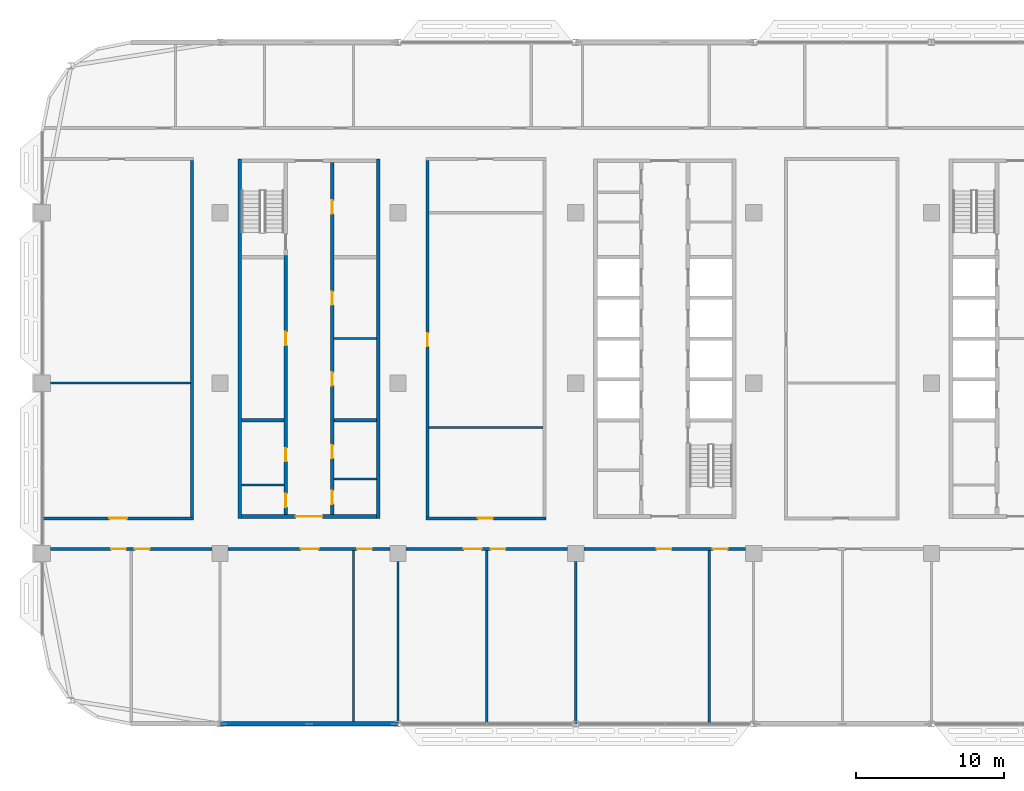
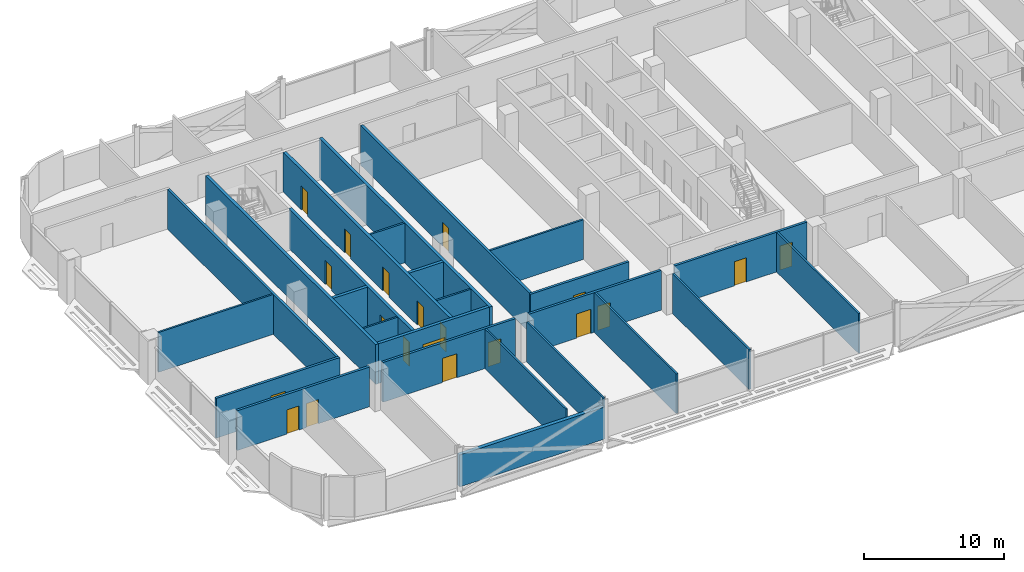
# One storey, part 13 of 30: 26 walls, 20 doors, 20 openings.
"""IFC4 building model written with IfcOpenShell, lengths in metres."""

import ifcopenshell
import ifcopenshell.guid

model = None  # the IFC model being written
_history = None  # IfcOwnerHistory: only IFC2X3 demands one
_inside = {}  # id of a spatial element -> (the spatial element, [elements in it])
_under = {}  # id of a project, library or spatial element -> (it, [spatial elements below it])
_declared = {}  # id of a project -> (the project, [libraries it declares])
_typed = {}  # id of a type object -> (the type object, [elements of that type])
_made_of = {}  # id of a material, layer set ... -> (it, [elements and type objects made of it])


def new_model(schema):
    """Start an empty IFC model of exactly this schema.

    Asked for "IFC4X3", IfcOpenShell would pick the latest addendum, in which some entities
    have other attributes; the version numbers below select the first issue.
    IFC2X3 requires an IfcOwnerHistory on every rooted entity: one is made here for all.
    """
    global model, _history
    if schema == "IFC4X3":
        model = ifcopenshell.file(schema_version=(4, 3, 0, 0))
    else:
        model = ifcopenshell.file(schema=schema)
    _inside.clear()
    _under.clear()
    _declared.clear()
    _typed.clear()
    _made_of.clear()
    _history = None
    if model.schema == "IFC2X3":
        org = make("IfcOrganization", Name="unknown")
        user = make(
            "IfcPersonAndOrganization",
            ThePerson=make("IfcPerson", FamilyName="unknown"),
            TheOrganization=org,
        )
        app = make(
            "IfcApplication",
            ApplicationDeveloper=org,
            Version="unknown",
            ApplicationFullName="unknown",
            ApplicationIdentifier="unknown",
        )
        _history = make(
            "IfcOwnerHistory",
            OwningUser=user,
            OwningApplication=app,
            ChangeAction="ADDED",
            CreationDate=0,
        )
    return model


def make(cls, **values):
    """One entity of the class cls with the attributes given. An attribute that is None is left unset."""
    return model.create_entity(
        cls, **{name: value for name, value in values.items() if value is not None}
    )


def rooted(cls, **values):
    """An entity with a GlobalId (a new one), such as an element, a storey or a relation."""
    return make(cls, GlobalId=ifcopenshell.guid.new(), OwnerHistory=_history, **values)


def si_unit(unit_type, name, prefix=None):
    """IfcSIUnit, for example si_unit("LENGTHUNIT", "METRE", prefix="MILLI")."""
    return make("IfcSIUnit", UnitType=unit_type, Prefix=prefix, Name=name)


def assignment(units):
    """IfcUnitAssignment: the units of a project."""
    return None if units is None else make("IfcUnitAssignment", Units=units)


def point(xyz):
    """IfcCartesianPoint."""
    return None if xyz is None else make("IfcCartesianPoint", Coordinates=xyz)


def direction(xyz):
    """IfcDirection."""
    return None if xyz is None else make("IfcDirection", DirectionRatios=xyz)


def frame(location, z_axis=None, x_axis=None):
    """IfcAxis2Placement3D, a coordinate frame: its origin and axes. An axis left out is left unset."""
    return make(
        "IfcAxis2Placement3D",
        Location=point(location),
        Axis=direction(z_axis),
        RefDirection=direction(x_axis),
    )


def frame_2d(location, x_axis=None):
    """IfcAxis2Placement2D, a coordinate frame in the plane: its origin and x axis."""
    return make(
        "IfcAxis2Placement2D", Location=point(location), RefDirection=direction(x_axis)
    )


def origin():
    """The frame at (0, 0, 0) with its axes left unset."""
    return frame((0.0, 0.0, 0.0))


def place(relative_to, where):
    """IfcLocalPlacement: puts the frame where relative to a parent placement (None: the world)."""
    return make(
        "IfcLocalPlacement", PlacementRelTo=relative_to, RelativePlacement=where
    )


def context(
    kind, dimensions, precision=None, world=None, true_north=None, identifier=None
):
    """IfcGeometricRepresentationContext, for example the 3D "Model" context."""
    return make(
        "IfcGeometricRepresentationContext",
        ContextIdentifier=identifier,
        ContextType=kind,
        CoordinateSpaceDimension=dimensions,
        Precision=precision,
        WorldCoordinateSystem=world,
        TrueNorth=true_north,
    )


def subcontext(parent, identifier, kind, view, scale=None):
    """IfcGeometricRepresentationSubContext, for example "Body" below "Model"."""
    return make(
        "IfcGeometricRepresentationSubContext",
        ContextIdentifier=identifier,
        ContextType=kind,
        ParentContext=parent,
        TargetScale=scale,
        TargetView=view,
    )


def project(units=None, contexts=None):
    """IfcProject with its units and contexts."""
    return rooted(
        "IfcProject",
        Name="project",
        RepresentationContexts=contexts,
        UnitsInContext=assignment(units),
    )


def spatial(cls, under=None, at=None, **own):
    """A site, building, storey or space (cls), placed at a placement, below another one or the project."""
    s = rooted(cls, ObjectPlacement=at, **own)
    if under is not None:
        _under.setdefault(under.id(), (under, []))[1].append(s)
    return s


def profile(cls, at=None, kind="AREA", **sizes):
    """A parametric profile (cls). Its sizes go by their IFC names, for example OverallWidth=200.0."""
    return make(cls, ProfileType=kind, Position=at, **sizes)


def rectangle(**sizes):
    """IfcRectangleProfileDef."""
    return profile("IfcRectangleProfileDef", **sizes)


def extrude(swept, where, along, depth):
    """IfcExtrudedAreaSolid: the profile swept, set in the frame where, extruded along a direction by depth."""
    return make(
        "IfcExtrudedAreaSolid",
        SweptArea=swept,
        Position=where,
        ExtrudedDirection=direction(along),
        Depth=depth,
    )


def shape(context_of_items, identifier, shape_type, items):
    """IfcShapeRepresentation: the items that make up one representation, for example the "Body"."""
    return make(
        "IfcShapeRepresentation",
        ContextOfItems=context_of_items,
        RepresentationIdentifier=identifier,
        RepresentationType=shape_type,
        Items=items,
    )


def material(Name=None, Category=None):
    """IfcMaterial."""
    return make("IfcMaterial", Name=Name, Category=Category)


def layer(
    of_material, thickness, ventilated=None, Name=None, Category=None, Priority=None
):
    """IfcMaterialLayer: one layer of a wall or slab, of a material (None: an air gap)."""
    return make(
        "IfcMaterialLayer",
        Material=of_material,
        LayerThickness=thickness,
        IsVentilated=ventilated,
        Name=Name,
        Category=Category,
        Priority=Priority,
    )


def layer_set(layers, Name=None):
    """IfcMaterialLayerSet."""
    return make("IfcMaterialLayerSet", MaterialLayers=layers, LayerSetName=Name)


def made_of(thing, what):
    """Note that an element or type object is made of a material, layer set ...; save() writes the relation."""
    if what is not None:
        _made_of.setdefault(what.id(), (what, []))[1].append(thing)
    return thing


def type_object(cls, material=None, **own):
    """A type object (cls), such as IfcWallType, which elements share."""
    return made_of(rooted(cls, **own), material)


def element(
    cls,
    number,
    at=None,
    inside=None,
    cuts=None,
    type_object=None,
    material=None,
    context=None,
    identifier="Body",
    shape_type=None,
    held_by="IfcProductDefinitionShape",
    body=None,
    shapes=None,
    **own,
):
    """One element of the class cls, such as IfcWall. Its Tag is "e" and its number.

    at: its placement. inside: the storey or other place that contains it. cuts: it is an
    opening in that element (IfcRelVoidsElement). A single representation is given by context,
    identifier, shape_type and body (its items); several are given by shapes. held_by: the class
    of the entity that holds the representations. save() writes the other relations.
    """
    e = rooted(cls, Tag="e%d" % number, ObjectPlacement=at, **own)
    if body is not None:
        shapes = [shape(context, identifier, shape_type, body)]
    if shapes is not None:
        e.Representation = make(held_by, Representations=shapes)
    if inside is not None:
        _inside.setdefault(inside.id(), (inside, []))[1].append(e)
    if cuts is not None:
        rooted(
            "IfcRelVoidsElement", RelatingBuildingElement=cuts, RelatedOpeningElement=e
        )
    if type_object is not None:
        _typed.setdefault(type_object.id(), (type_object, []))[1].append(e)
    return made_of(e, material)


def fill(opening, filler):
    """IfcRelFillsElement: the door or window that sits in an opening."""
    return rooted(
        "IfcRelFillsElement",
        RelatingOpeningElement=opening,
        RelatedBuildingElement=filler,
    )


def aggregate(whole, parts):
    """IfcRelAggregates: a whole, such as a stair, and the parts it consists of."""
    return rooted("IfcRelAggregates", RelatingObject=whole, RelatedObjects=parts)


def save(model, path):
    """Write the relations noted so far, then the file.

    IfcRelAggregates (storeys below a building ...), IfcRelContainedInSpatialStructure (elements
    in a storey), IfcRelDefinesByType, IfcRelAssociatesMaterial and IfcRelDeclares: one each for
    every whole, place, type object, material and project.
    """
    for whole, parts in _under.values():
        aggregate(whole, parts)
    for where, things in _inside.values():
        rooted(
            "IfcRelContainedInSpatialStructure",
            RelatedElements=things,
            RelatingStructure=where,
        )
    for kind, things in _typed.values():
        rooted("IfcRelDefinesByType", RelatedObjects=things, RelatingType=kind)
    for what, things in _made_of.values():
        rooted("IfcRelAssociatesMaterial", RelatedObjects=things, RelatingMaterial=what)
    for by, libraries in _declared.values():
        rooted("IfcRelDeclares", RelatingContext=by, RelatedDefinitions=libraries)
    model.write(path)


model = new_model("IFC4")

# Units and contexts
model_context = context("Model", 3, precision=1e-05, world=origin(), true_north=direction((0.0, 1.0)))
body_context = subcontext(model_context, "Body", "Model", "MODEL_VIEW")
ifc_project = project(units=[si_unit("LENGTHUNIT", "METRE"), si_unit("AREAUNIT", "SQUARE_METRE"), si_unit("VOLUMEUNIT", "CUBIC_METRE"), si_unit("PLANEANGLEUNIT", "RADIAN"), si_unit("MASSUNIT", "GRAM", prefix="KILO")], contexts=[model_context])

# Site, building, storey
site_placement = place(None, origin())
site = spatial("IfcSite", under=ifc_project, at=site_placement, CompositionType="ELEMENT")
building_placement = place(site_placement, origin())
building = spatial("IfcBuilding", under=site, at=building_placement, Name="Mahtab Terrace Research Tower", CompositionType="ELEMENT")
storey_placement = place(building_placement, frame((0.0, 0.0, 205.300048828125)))
storey = spatial("IfcBuildingStorey", under=building, at=storey_placement, Name="L49", CompositionType="ELEMENT", Elevation=205.300048828125)

# Walls
ifc_material_1 = material(Name="Gypsum board partition")
ifc_layer_1 = layer(ifc_material_1, 0.14990234375)
ifc_layer_set_1 = layer_set([ifc_layer_1], Name="Core partition 150")
wall_type_1 = type_object("IfcWallType", Name="Core partition 150", PredefinedType="PARTITIONING", material=ifc_layer_set_1)
for number, where, z_axis, x_axis, name in (
    (1, (-22.300048828125, 3.0, 0.0), (0.0, 0.0, 1.0), (1.0, 0.0, 0.0), "Core wall A pEL0"),
    (2, (-28.550048828125, -6.875, 0.0), (0.0, 0.0, 1.0), (1.0, 0.0, 0.0), "Core wall A pWS-988"),
    (3, (-22.300048828125, -6.47509765625, 0.0), (0.0, 0.0, 1.0), (1.0, 0.0, 0.0), "Core wall A pES-948"),
):
    element("IfcWall", number, at=place(storey_placement, frame(where, z_axis=z_axis, x_axis=x_axis)), inside=storey, type_object=wall_type_1, Name=name, PredefinedType="PARTITIONING", context=body_context, shape_type="SweptSolid", body=[
        extrude(rectangle(XDim=2.85009765625, YDim=0.14990234375, at=frame_2d((1.425048828125, 0.0))), origin(), (0.0, 0.0, 1.0), 3.4599609375),
    ])
ifc_material_2 = material(Name="Concrete C70/85", Category="concrete")
ifc_layer_2 = layer(ifc_material_2, 0.25)
ifc_layer_set_2 = layer_set([ifc_layer_2], Name="Core wall 250")
wall_type_2 = type_object("IfcWallType", Name="Core wall 250", PredefinedType="SOLIDWALL", material=ifc_layer_set_2)
for number, where, z_axis, x_axis, name in (
    (4, (-28.675048828125, 15.125, 0.0), (0.0, 0.0, 1.0), (0.0, -1.0, 0.0), "Core wall A outerW"),
    (5, (-19.324951171875, -9.125, 0.0), (0.0, 0.0, 1.0), (0.0, 1.0, 0.0), "Core wall A outerE"),
):
    element("IfcWall", number, at=place(storey_placement, frame(where, z_axis=z_axis, x_axis=x_axis)), inside=storey, type_object=wall_type_2, Name=name, PredefinedType="SOLIDWALL", context=body_context, shape_type="SweptSolid", body=[
        extrude(rectangle(XDim=24.25, YDim=0.25, at=frame_2d((12.125, 0.0))), origin(), (0.0, 0.0, 1.0), 3.4599609375),
    ])

# Wall, opening, door
wall_1_placement = place(storey_placement, frame((-19.449951171875, -9.0, 0.0), z_axis=(0.0, 0.0, 1.0), x_axis=(-1.0, 0.0, 0.0)))
wall_1 = element("IfcWall", 6, at=wall_1_placement, inside=storey, type_object=wall_type_2, Name="Core wall A endS", PredefinedType="SOLIDWALL", context=body_context, shape_type="SweptSolid", body=[
    extrude(rectangle(XDim=9.10009765625, YDim=0.25, at=frame_2d((4.550048828125, 0.0))), origin(), (0.0, 0.0, 1.0), 3.4599609375),
])
opening_1_placement = place(wall_1_placement, frame((3.64990234375, 0.0, 0.0)))
opening_1 = element("IfcOpeningElement", 7, at=opening_1_placement, cuts=wall_1, Name="Opening A-S1", PredefinedType="OPENING", context=body_context, shape_type="SweptSolid", body=[
    extrude(rectangle(XDim=1.800048828125, YDim=2.10009765625, at=frame_2d((0.89990234375, 1.050048828125))), frame((0.0, 0.135009765625, 0.0), z_axis=(0.0, -1.0, 0.0), x_axis=(1.0, 0.0, 0.0)), (0.0, 0.0, 1.0), 0.27001953125),
])
ifc_material_3 = material(Name="Steel fire door", Category="steel")
door_type_1 = type_object("IfcDoorType", Name="Lobby double door 1800x2100 1 HR", OperationType="DOUBLE_DOOR_SINGLE_SWING", PredefinedType="DOOR", material=ifc_material_3)
door_1_placement = place(opening_1_placement, origin())
door_1 = element("IfcDoor", 8, at=door_1_placement, inside=storey, type_object=door_type_1, Name="Core entrance door A S", OperationType="DOUBLE_DOOR_SINGLE_SWING", OverallHeight=2.10009765625, OverallWidth=1.800048828125, PredefinedType="DOOR", context=body_context, shape_type="SweptSolid", body=[
    extrude(rectangle(XDim=1.800048828125, YDim=2.10009765625, at=frame_2d((0.89990234375, 1.050048828125))), frame((0.0, 0.02490234375, 0.0), z_axis=(0.0, -1.0, 0.0), x_axis=(1.0, 0.0, 0.0)), (0.0, 0.0, 1.0), 0.050048828125),
])
fill(opening_1, door_1)

# Wall, openings, doors
wall_2_placement = place(storey_placement, frame((-25.574951171875, -8.875, 0.0), z_axis=(0.0, 0.0, 1.0), x_axis=(0.0, 1.0, 0.0)))
wall_2 = element("IfcWall", 9, at=wall_2_placement, inside=storey, type_object=wall_type_2, Name="Core wall A innerWSL", PredefinedType="SOLIDWALL", context=body_context, shape_type="SweptSolid", body=[
    extrude(rectangle(XDim=17.5, YDim=0.25, at=frame_2d((8.75, 0.0))), origin(), (0.0, 0.0, 1.0), 3.4599609375),
])
opening_2_placement = place(wall_2_placement, frame((11.425048828125, 0.0, 0.0)))
opening_2 = element("IfcOpeningElement", 10, at=opening_2_placement, cuts=wall_2, Name="Opening A-R1", PredefinedType="OPENING", context=body_context, shape_type="SweptSolid", body=[
    extrude(rectangle(XDim=0.89990234375, YDim=2.10009765625, at=frame_2d((0.449951171875, 1.050048828125))), frame((0.0, 0.135009765625, 0.0), z_axis=(0.0, -1.0, 0.0), x_axis=(1.0, 0.0, 0.0)), (0.0, 0.0, 1.0), 0.27001953125),
])
opening_3_placement = place(wall_2_placement, frame((0.512451171875, 0.0, 0.0)))
opening_3 = element("IfcOpeningElement", 11, at=opening_3_placement, cuts=wall_2, Name="Opening A-R4", PredefinedType="OPENING", context=body_context, shape_type="SweptSolid", body=[
    extrude(rectangle(XDim=0.89990234375, YDim=2.10009765625, at=frame_2d((0.449951171875, 1.050048828125))), frame((0.0, 0.135009765625, 0.0), z_axis=(0.0, -1.0, 0.0), x_axis=(1.0, 0.0, 0.0)), (0.0, 0.0, 1.0), 0.27001953125),
])
opening_4_placement = place(wall_2_placement, frame((3.58740234375, 0.0, 0.0)))
opening_4 = element("IfcOpeningElement", 12, at=opening_4_placement, cuts=wall_2, Name="Opening A-R5", PredefinedType="OPENING", context=body_context, shape_type="SweptSolid", body=[
    extrude(rectangle(XDim=0.89990234375, YDim=2.10009765625, at=frame_2d((0.449951171875, 1.050048828125))), frame((0.0, 0.135009765625, 0.0), z_axis=(0.0, -1.0, 0.0), x_axis=(1.0, 0.0, 0.0)), (0.0, 0.0, 1.0), 0.27001953125),
])
door_type_2 = type_object("IfcDoorType", Name="Room door 900x2100 1 HR", OperationType="NOTDEFINED", PredefinedType="DOOR", material=ifc_material_3)
door_2_placement = place(opening_2_placement, origin())
door_2 = element("IfcDoor", 13, at=door_2_placement, inside=storey, type_object=door_type_2, Name="Plant room door", OperationType="SINGLE_SWING_LEFT", OverallHeight=2.10009765625, OverallWidth=0.89990234375, PredefinedType="DOOR", context=body_context, shape_type="SweptSolid", body=[
    extrude(rectangle(XDim=0.89990234375, YDim=2.10009765625, at=frame_2d((0.449951171875, 1.050048828125))), frame((0.0, 0.02490234375, 0.0), z_axis=(0.0, -1.0, 0.0), x_axis=(1.0, 0.0, 0.0)), (0.0, 0.0, 1.0), 0.050048828125),
])
fill(opening_2, door_2)
door_3_placement = place(opening_3_placement, origin())
door_3 = element("IfcDoor", 14, at=door_3_placement, inside=storey, type_object=door_type_2, Name="Accessible WC door", OperationType="SINGLE_SWING_RIGHT", OverallHeight=2.10009765625, OverallWidth=0.89990234375, PredefinedType="DOOR", context=body_context, shape_type="SweptSolid", body=[
    extrude(rectangle(XDim=0.89990234375, YDim=2.10009765625, at=frame_2d((0.449951171875, 1.050048828125))), frame((0.0, 0.02490234375, 0.0), z_axis=(0.0, -1.0, 0.0), x_axis=(1.0, 0.0, 0.0)), (0.0, 0.0, 1.0), 0.050048828125),
])
fill(opening_3, door_3)
door_4_placement = place(opening_4_placement, origin())
door_4 = element("IfcDoor", 15, at=door_4_placement, inside=storey, type_object=door_type_2, Name="WC block door", OperationType="SINGLE_SWING_LEFT", OverallHeight=2.10009765625, OverallWidth=0.89990234375, PredefinedType="DOOR", context=body_context, shape_type="SweptSolid", body=[
    extrude(rectangle(XDim=0.89990234375, YDim=2.10009765625, at=frame_2d((0.449951171875, 1.050048828125))), frame((0.0, 0.02490234375, 0.0), z_axis=(0.0, -1.0, 0.0), x_axis=(1.0, 0.0, 0.0)), (0.0, 0.0, 1.0), 0.050048828125),
])
fill(opening_4, door_4)

wall_3_placement = place(storey_placement, frame((-22.425048828125, 14.875, 0.0), z_axis=(0.0, 0.0, 1.0), x_axis=(0.0, -1.0, 0.0)))
wall_3 = element("IfcWall", 16, at=wall_3_placement, inside=storey, type_object=wall_type_2, Name="Core wall A innerESLN", PredefinedType="SOLIDWALL", context=body_context, shape_type="SweptSolid", body=[
    extrude(rectangle(XDim=23.75, YDim=0.25, at=frame_2d((11.875, 0.0))), origin(), (0.0, 0.0, 1.0), 3.4599609375),
])
opening_5_placement = place(wall_3_placement, frame((14.14990234375, 0.0, 0.0)))
opening_5 = element("IfcOpeningElement", 17, at=opening_5_placement, cuts=wall_3, Name="Opening A-R2", PredefinedType="OPENING", context=body_context, shape_type="SweptSolid", body=[
    extrude(rectangle(XDim=0.89990234375, YDim=2.10009765625, at=frame_2d((0.449951171875, 1.050048828125))), frame((0.0, 0.135009765625, 0.0), z_axis=(0.0, -1.0, 0.0), x_axis=(1.0, 0.0, 0.0)), (0.0, 0.0, 1.0), 0.27001953125),
])
opening_6_placement = place(wall_3_placement, frame((8.699951171875, 0.0, 0.0)))
opening_6 = element("IfcOpeningElement", 18, at=opening_6_placement, cuts=wall_3, Name="Opening A-R3", PredefinedType="OPENING", context=body_context, shape_type="SweptSolid", body=[
    extrude(rectangle(XDim=0.89990234375, YDim=2.10009765625, at=frame_2d((0.449951171875, 1.050048828125))), frame((0.0, 0.135009765625, 0.0), z_axis=(0.0, -1.0, 0.0), x_axis=(1.0, 0.0, 0.0)), (0.0, 0.0, 1.0), 0.27001953125),
])
opening_7_placement = place(wall_3_placement, frame((22.137451171875, 0.0, 0.0)))
opening_7 = element("IfcOpeningElement", 19, at=opening_7_placement, cuts=wall_3, Name="Opening A-R6", PredefinedType="OPENING", context=body_context, shape_type="SweptSolid", body=[
    extrude(rectangle(XDim=0.89990234375, YDim=2.10009765625, at=frame_2d((0.449951171875, 1.050048828125))), frame((0.0, 0.135009765625, 0.0), z_axis=(0.0, -1.0, 0.0), x_axis=(1.0, 0.0, 0.0)), (0.0, 0.0, 1.0), 0.27001953125),
])
opening_8_placement = place(wall_3_placement, frame((19.0625, 0.0, 0.0)))
opening_8 = element("IfcOpeningElement", 20, at=opening_8_placement, cuts=wall_3, Name="Opening A-R7", PredefinedType="OPENING", context=body_context, shape_type="SweptSolid", body=[
    extrude(rectangle(XDim=0.89990234375, YDim=2.10009765625, at=frame_2d((0.449951171875, 1.050048828125))), frame((0.0, 0.135009765625, 0.0), z_axis=(0.0, -1.0, 0.0), x_axis=(1.0, 0.0, 0.0)), (0.0, 0.0, 1.0), 0.27001953125),
])
opening_9_placement = place(wall_3_placement, frame((2.550048828125, 0.0, 0.0)))
opening_9 = element("IfcOpeningElement", 21, at=opening_9_placement, cuts=wall_3, Name="Opening A-R8", PredefinedType="OPENING", context=body_context, shape_type="SweptSolid", body=[
    extrude(rectangle(XDim=0.89990234375, YDim=2.10009765625, at=frame_2d((0.449951171875, 1.050048828125))), frame((0.0, 0.135009765625, 0.0), z_axis=(0.0, -1.0, 0.0), x_axis=(1.0, 0.0, 0.0)), (0.0, 0.0, 1.0), 0.27001953125),
])
door_5_placement = place(opening_5_placement, origin())
door_5 = element("IfcDoor", 22, at=door_5_placement, inside=storey, type_object=door_type_2, Name="Document store door", OperationType="SINGLE_SWING_RIGHT", OverallHeight=2.10009765625, OverallWidth=0.89990234375, PredefinedType="DOOR", context=body_context, shape_type="SweptSolid", body=[
    extrude(rectangle(XDim=0.89990234375, YDim=2.10009765625, at=frame_2d((0.449951171875, 1.050048828125))), frame((0.0, 0.02490234375, 0.0), z_axis=(0.0, -1.0, 0.0), x_axis=(1.0, 0.0, 0.0)), (0.0, 0.0, 1.0), 0.050048828125),
])
fill(opening_5, door_5)
door_6_placement = place(opening_6_placement, origin())
door_6 = element("IfcDoor", 23, at=door_6_placement, inside=storey, type_object=door_type_2, Name="IT equipment room door", OperationType="SINGLE_SWING_LEFT", OverallHeight=2.10009765625, OverallWidth=0.89990234375, PredefinedType="DOOR", context=body_context, shape_type="SweptSolid", body=[
    extrude(rectangle(XDim=0.89990234375, YDim=2.10009765625, at=frame_2d((0.449951171875, 1.050048828125))), frame((0.0, 0.02490234375, 0.0), z_axis=(0.0, -1.0, 0.0), x_axis=(1.0, 0.0, 0.0)), (0.0, 0.0, 1.0), 0.050048828125),
])
fill(opening_6, door_6)
door_7_placement = place(opening_7_placement, origin())
door_7 = element("IfcDoor", 24, at=door_7_placement, inside=storey, type_object=door_type_2, Name="Mechanical riser room door", OperationType="SINGLE_SWING_RIGHT", OverallHeight=2.10009765625, OverallWidth=0.89990234375, PredefinedType="DOOR", context=body_context, shape_type="SweptSolid", body=[
    extrude(rectangle(XDim=0.89990234375, YDim=2.10009765625, at=frame_2d((0.449951171875, 1.050048828125))), frame((0.0, 0.02490234375, 0.0), z_axis=(0.0, -1.0, 0.0), x_axis=(1.0, 0.0, 0.0)), (0.0, 0.0, 1.0), 0.050048828125),
])
fill(opening_7, door_7)
door_8_placement = place(opening_8_placement, origin())
door_8 = element("IfcDoor", 25, at=door_8_placement, inside=storey, type_object=door_type_2, Name="Chemical store door", OperationType="SINGLE_SWING_LEFT", OverallHeight=2.10009765625, OverallWidth=0.89990234375, PredefinedType="DOOR", context=body_context, shape_type="SweptSolid", body=[
    extrude(rectangle(XDim=0.89990234375, YDim=2.10009765625, at=frame_2d((0.449951171875, 1.050048828125))), frame((0.0, 0.02490234375, 0.0), z_axis=(0.0, -1.0, 0.0), x_axis=(1.0, 0.0, 0.0)), (0.0, 0.0, 1.0), 0.050048828125),
])
fill(opening_8, door_8)
door_9_placement = place(opening_9_placement, origin())
door_9 = element("IfcDoor", 26, at=door_9_placement, inside=storey, type_object=door_type_2, Name="Gas cylinder store door", OperationType="SINGLE_SWING_RIGHT", OverallHeight=2.10009765625, OverallWidth=0.89990234375, PredefinedType="DOOR", context=body_context, shape_type="SweptSolid", body=[
    extrude(rectangle(XDim=0.89990234375, YDim=2.10009765625, at=frame_2d((0.449951171875, 1.050048828125))), frame((0.0, 0.02490234375, 0.0), z_axis=(0.0, -1.0, 0.0), x_axis=(1.0, 0.0, 0.0)), (0.0, 0.0, 1.0), 0.050048828125),
])
fill(opening_9, door_9)

# Walls
for number, where, z_axis, x_axis, name in (
    (27, (-28.550048828125, -2.5, 0.0), (0.0, 0.0, 1.0), (1.0, 0.0, 0.0), "Core wall A divW0"),
    (28, (-22.300048828125, -2.5, 0.0), (0.0, 0.0, 1.0), (1.0, 0.0, 0.0), "Core wall A divE0"),
):
    element("IfcWall", number, at=place(storey_placement, frame(where, z_axis=z_axis, x_axis=x_axis)), inside=storey, type_object=wall_type_2, Name=name, PredefinedType="SOLIDWALL", context=body_context, shape_type="SweptSolid", body=[
        extrude(rectangle(XDim=2.85009765625, YDim=0.25, at=frame_2d((1.425048828125, 0.0))), origin(), (0.0, 0.0, 1.0), 3.4599609375),
    ])
ifc_material_4 = material(Name="Black aluminium cladding panel", Category="aluminium")
ifc_layer_3 = layer(ifc_material_4, 0.300048828125)
ifc_layer_set_3 = layer_set([ifc_layer_3], Name="Opaque facade wall 300")
wall_type_3 = type_object("IfcWallType", Name="Opaque facade wall 300", PredefinedType="NOTDEFINED", material=ifc_layer_set_3)
wall_4_placement = place(storey_placement, frame((-29.987548828125, -23.0, 0.0), z_axis=(0.0, 0.0, 1.0), x_axis=(1.0, 0.0, 0.0)))
element("IfcWall", 29, at=wall_4_placement, inside=storey, type_object=wall_type_3, Name="Opaque facade wall L49 S24", PredefinedType="NOTDEFINED", context=body_context, shape_type="SweptSolid", body=[
    extrude(rectangle(XDim=11.97509765625, YDim=0.300048828125, at=frame_2d((5.987548828125, 0.0))), origin(), (0.0, 0.0, 1.0), 2.78173828125),
])

# Wall, openings, doors
ifc_material_5 = material(Name="Gypsum board corridor wall on steel studs", Category="steel")
ifc_layer_4 = layer(ifc_material_5, 0.199951171875)
ifc_layer_set_4 = layer_set([ifc_layer_4], Name="WALL CORRIDOR 200")
wall_type_4 = type_object("IfcWallType", Name="WALL CORRIDOR 200", PredefinedType="PARTITIONING", material=ifc_layer_set_4)
wall_5_placement = place(storey_placement, frame((-41.449951171875, -11.199951171875, 0.0), z_axis=(0.0, 0.0, 1.0), x_axis=(1.0, 0.0, 0.0)))
wall_5 = element("IfcWall", 30, at=wall_5_placement, inside=storey, type_object=wall_type_4, Name="L49-W001", PredefinedType="PARTITIONING", context=body_context, shape_type="SweptSolid", body=[
    extrude(rectangle(XDim=10.89990234375, YDim=0.199951171875, at=frame_2d((5.449951171875, 0.0))), origin(), (0.0, 0.0, 1.0), 3.4599609375),
])
opening_10_placement = place(wall_5_placement, frame((4.10009765625, 0.0, 0.0)))
opening_10 = element("IfcOpeningElement", 31, at=opening_10_placement, cuts=wall_5, Name="Opening L49-101", PredefinedType="OPENING", context=body_context, shape_type="SweptSolid", body=[
    extrude(rectangle(XDim=1.0, YDim=2.10009765625, at=frame_2d((0.5, 1.050048828125))), frame((0.0, 0.10986328125, 0.0), z_axis=(0.0, -1.0, 0.0), x_axis=(1.0, 0.0, 0.0)), (0.0, 0.0, 1.0), 0.219970703125),
])
opening_11_placement = place(wall_5_placement, frame((5.699951171875, 0.0, 0.0)))
opening_11 = element("IfcOpeningElement", 32, at=opening_11_placement, cuts=wall_5, Name="Opening L49-102", PredefinedType="OPENING", context=body_context, shape_type="SweptSolid", body=[
    extrude(rectangle(XDim=1.0, YDim=2.10009765625, at=frame_2d((0.5, 1.050048828125))), frame((0.0, 0.10986328125, 0.0), z_axis=(0.0, -1.0, 0.0), x_axis=(1.0, 0.0, 0.0)), (0.0, 0.0, 1.0), 0.219970703125),
])
ifc_material_6 = material(Name="Timber door leaf in steel frame", Category="steel")
door_type_3 = type_object("IfcDoorType", Name="DOOR 1000X2100 FD30S", OperationType="SINGLE_SWING_LEFT", PredefinedType="DOOR", material=ifc_material_6)
door_10_placement = place(opening_10_placement, origin())
door_10 = element("IfcDoor", 33, at=door_10_placement, inside=storey, type_object=door_type_3, Name="Door L49-101", OperationType="SINGLE_SWING_RIGHT", OverallHeight=2.10009765625, OverallWidth=1.0, PredefinedType="DOOR", context=body_context, shape_type="SweptSolid", body=[
    extrude(rectangle(XDim=1.0, YDim=2.10009765625, at=frame_2d((0.5, 1.050048828125))), frame((0.0, 0.02490234375, 0.0), z_axis=(0.0, -1.0, 0.0), x_axis=(1.0, 0.0, 0.0)), (0.0, 0.0, 1.0), 0.050048828125),
])
fill(opening_10, door_10)
door_11_placement = place(opening_11_placement, origin())
door_11 = element("IfcDoor", 34, at=door_11_placement, inside=storey, type_object=door_type_3, Name="Door L49-102", OperationType="SINGLE_SWING_LEFT", OverallHeight=2.10009765625, OverallWidth=1.0, PredefinedType="DOOR", context=body_context, shape_type="SweptSolid", body=[
    extrude(rectangle(XDim=1.0, YDim=2.10009765625, at=frame_2d((0.5, 1.050048828125))), frame((0.0, 0.02490234375, 0.0), z_axis=(0.0, -1.0, 0.0), x_axis=(1.0, 0.0, 0.0)), (0.0, 0.0, 1.0), 0.050048828125),
])
fill(opening_11, door_11)

wall_6_placement = place(storey_placement, frame((-29.449951171875, -11.199951171875, 0.0), z_axis=(0.0, 0.0, 1.0), x_axis=(1.0, 0.0, 0.0)))
wall_6 = element("IfcWall", 35, at=wall_6_placement, inside=storey, type_object=wall_type_4, Name="L49-W002", PredefinedType="PARTITIONING", context=body_context, shape_type="SweptSolid", body=[
    extrude(rectangle(XDim=10.89990234375, YDim=0.199951171875, at=frame_2d((5.449951171875, 0.0))), origin(), (0.0, 0.0, 1.0), 3.4599609375),
])
opening_12_placement = place(wall_6_placement, frame((4.89990234375, 0.0, 0.0)))
opening_12 = element("IfcOpeningElement", 36, at=opening_12_placement, cuts=wall_6, Name="Opening L49-103", PredefinedType="OPENING", context=body_context, shape_type="SweptSolid", body=[
    extrude(rectangle(XDim=1.199951171875, YDim=2.10009765625, at=frame_2d((0.60009765625, 1.050048828125))), frame((0.0, 0.10986328125, 0.0), z_axis=(0.0, -1.0, 0.0), x_axis=(1.0, 0.0, 0.0)), (0.0, 0.0, 1.0), 0.219970703125),
])
opening_13_placement = place(wall_6_placement, frame((8.699951171875, 0.0, 0.0)))
opening_13 = element("IfcOpeningElement", 37, at=opening_13_placement, cuts=wall_6, Name="Opening L49-104", PredefinedType="OPENING", context=body_context, shape_type="SweptSolid", body=[
    extrude(rectangle(XDim=1.0, YDim=2.10009765625, at=frame_2d((0.5, 1.050048828125))), frame((0.0, 0.10986328125, 0.0), z_axis=(0.0, -1.0, 0.0), x_axis=(1.0, 0.0, 0.0)), (0.0, 0.0, 1.0), 0.219970703125),
])
door_12_placement = place(opening_13_placement, origin())
door_12 = element("IfcDoor", 38, at=door_12_placement, inside=storey, type_object=door_type_3, Name="Door L49-104", OperationType="SINGLE_SWING_LEFT", OverallHeight=2.10009765625, OverallWidth=1.0, PredefinedType="DOOR", context=body_context, shape_type="SweptSolid", body=[
    extrude(rectangle(XDim=1.0, YDim=2.10009765625, at=frame_2d((0.5, 1.050048828125))), frame((0.0, 0.02490234375, 0.0), z_axis=(0.0, -1.0, 0.0), x_axis=(1.0, 0.0, 0.0)), (0.0, 0.0, 1.0), 0.050048828125),
])
fill(opening_13, door_12)
door_type_4 = type_object("IfcDoorType", Name="DOOR 1200X2100 FD30S", OperationType="SINGLE_SWING_LEFT", PredefinedType="DOOR", material=ifc_material_6)
door_13_placement = place(opening_12_placement, origin())
door_13 = element("IfcDoor", 39, at=door_13_placement, inside=storey, type_object=door_type_4, Name="Door L49-103", OperationType="SINGLE_SWING_LEFT", OverallHeight=2.10009765625, OverallWidth=1.199951171875, PredefinedType="DOOR", context=body_context, shape_type="SweptSolid", body=[
    extrude(rectangle(XDim=1.199951171875, YDim=2.10009765625, at=frame_2d((0.60009765625, 1.050048828125))), frame((0.0, 0.02490234375, 0.0), z_axis=(0.0, -1.0, 0.0), x_axis=(1.0, 0.0, 0.0)), (0.0, 0.0, 1.0), 0.050048828125),
])
fill(opening_12, door_13)

wall_7_placement = place(storey_placement, frame((-17.449951171875, -11.199951171875, 0.0), z_axis=(0.0, 0.0, 1.0), x_axis=(1.0, 0.0, 0.0)))
wall_7 = element("IfcWall", 40, at=wall_7_placement, inside=storey, type_object=wall_type_4, Name="L49-W003", PredefinedType="PARTITIONING", context=body_context, shape_type="SweptSolid", body=[
    extrude(rectangle(XDim=10.89990234375, YDim=0.199951171875, at=frame_2d((5.449951171875, 0.0))), origin(), (0.0, 0.0, 1.0), 3.4599609375),
])
opening_14_placement = place(wall_7_placement, frame((3.89990234375, 0.0, 0.0)))
opening_14 = element("IfcOpeningElement", 41, at=opening_14_placement, cuts=wall_7, Name="Opening L49-105", PredefinedType="OPENING", context=body_context, shape_type="SweptSolid", body=[
    extrude(rectangle(XDim=1.199951171875, YDim=2.10009765625, at=frame_2d((0.60009765625, 1.050048828125))), frame((0.0, 0.10986328125, 0.0), z_axis=(0.0, -1.0, 0.0), x_axis=(1.0, 0.0, 0.0)), (0.0, 0.0, 1.0), 0.219970703125),
])
opening_15_placement = place(wall_7_placement, frame((5.699951171875, 0.0, 0.0)))
opening_15 = element("IfcOpeningElement", 42, at=opening_15_placement, cuts=wall_7, Name="Opening L49-106", PredefinedType="OPENING", context=body_context, shape_type="SweptSolid", body=[
    extrude(rectangle(XDim=1.0, YDim=2.10009765625, at=frame_2d((0.5, 1.050048828125))), frame((0.0, 0.10986328125, 0.0), z_axis=(0.0, -1.0, 0.0), x_axis=(1.0, 0.0, 0.0)), (0.0, 0.0, 1.0), 0.219970703125),
])
door_14_placement = place(opening_15_placement, origin())
door_14 = element("IfcDoor", 43, at=door_14_placement, inside=storey, type_object=door_type_3, Name="Door L49-106", OperationType="SINGLE_SWING_LEFT", OverallHeight=2.10009765625, OverallWidth=1.0, PredefinedType="DOOR", context=body_context, shape_type="SweptSolid", body=[
    extrude(rectangle(XDim=1.0, YDim=2.10009765625, at=frame_2d((0.5, 1.050048828125))), frame((0.0, 0.02490234375, 0.0), z_axis=(0.0, -1.0, 0.0), x_axis=(1.0, 0.0, 0.0)), (0.0, 0.0, 1.0), 0.050048828125),
])
fill(opening_15, door_14)
door_15_placement = place(opening_14_placement, origin())
door_15 = element("IfcDoor", 44, at=door_15_placement, inside=storey, type_object=door_type_4, Name="Door L49-105", OperationType="SINGLE_SWING_RIGHT", OverallHeight=2.10009765625, OverallWidth=1.199951171875, PredefinedType="DOOR", context=body_context, shape_type="SweptSolid", body=[
    extrude(rectangle(XDim=1.199951171875, YDim=2.10009765625, at=frame_2d((0.60009765625, 1.050048828125))), frame((0.0, 0.02490234375, 0.0), z_axis=(0.0, -1.0, 0.0), x_axis=(1.0, 0.0, 0.0)), (0.0, 0.0, 1.0), 0.050048828125),
])
fill(opening_14, door_15)

wall_8_placement = place(storey_placement, frame((-5.449951171875, -11.199951171875, 0.0), z_axis=(0.0, 0.0, 1.0), x_axis=(1.0, 0.0, 0.0)))
wall_8 = element("IfcWall", 45, at=wall_8_placement, inside=storey, type_object=wall_type_4, Name="L49-W004", PredefinedType="PARTITIONING", context=body_context, shape_type="SweptSolid", body=[
    extrude(rectangle(XDim=10.89990234375, YDim=0.199951171875, at=frame_2d((5.449951171875, 0.0))), origin(), (0.0, 0.0, 1.0), 3.4599609375),
])
opening_16_placement = place(wall_8_placement, frame((4.89990234375, 0.0, 0.0)))
opening_16 = element("IfcOpeningElement", 46, at=opening_16_placement, cuts=wall_8, Name="Opening L49-107", PredefinedType="OPENING", context=body_context, shape_type="SweptSolid", body=[
    extrude(rectangle(XDim=1.0, YDim=2.10009765625, at=frame_2d((0.5, 1.050048828125))), frame((0.0, 0.10986328125, 0.0), z_axis=(0.0, -1.0, 0.0), x_axis=(1.0, 0.0, 0.0)), (0.0, 0.0, 1.0), 0.219970703125),
])
opening_17_placement = place(wall_8_placement, frame((8.699951171875, 0.0, 0.0)))
opening_17 = element("IfcOpeningElement", 47, at=opening_17_placement, cuts=wall_8, Name="Opening L49-108", PredefinedType="OPENING", context=body_context, shape_type="SweptSolid", body=[
    extrude(rectangle(XDim=1.0, YDim=2.10009765625, at=frame_2d((0.5, 1.050048828125))), frame((0.0, 0.10986328125, 0.0), z_axis=(0.0, -1.0, 0.0), x_axis=(1.0, 0.0, 0.0)), (0.0, 0.0, 1.0), 0.219970703125),
])
door_16_placement = place(opening_16_placement, origin())
door_16 = element("IfcDoor", 48, at=door_16_placement, inside=storey, type_object=door_type_3, Name="Door L49-107", OperationType="SINGLE_SWING_RIGHT", OverallHeight=2.10009765625, OverallWidth=1.0, PredefinedType="DOOR", context=body_context, shape_type="SweptSolid", body=[
    extrude(rectangle(XDim=1.0, YDim=2.10009765625, at=frame_2d((0.5, 1.050048828125))), frame((0.0, 0.02490234375, 0.0), z_axis=(0.0, -1.0, 0.0), x_axis=(1.0, 0.0, 0.0)), (0.0, 0.0, 1.0), 0.050048828125),
])
fill(opening_16, door_16)
door_17_placement = place(opening_17_placement, origin())
door_17 = element("IfcDoor", 49, at=door_17_placement, inside=storey, type_object=door_type_3, Name="Door L49-108", OperationType="SINGLE_SWING_LEFT", OverallHeight=2.10009765625, OverallWidth=1.0, PredefinedType="DOOR", context=body_context, shape_type="SweptSolid", body=[
    extrude(rectangle(XDim=1.0, YDim=2.10009765625, at=frame_2d((0.5, 1.050048828125))), frame((0.0, 0.02490234375, 0.0), z_axis=(0.0, -1.0, 0.0), x_axis=(1.0, 0.0, 0.0)), (0.0, 0.0, 1.0), 0.050048828125),
])
fill(opening_17, door_17)

# Wall, opening, door
wall_9_placement = place(storey_placement, frame((-41.97509765625, -9.125, 0.0), z_axis=(0.0, 0.0, 1.0), x_axis=(1.0, 0.0, 0.0)))
wall_9 = element("IfcWall", 50, at=wall_9_placement, inside=storey, type_object=wall_type_4, Name="L49-W009", PredefinedType="PARTITIONING", context=body_context, shape_type="SweptSolid", body=[
    extrude(rectangle(XDim=10.175048828125, YDim=0.199951171875, at=frame_2d((5.08740234375, 0.0))), origin(), (0.0, 0.0, 1.0), 3.4599609375),
])
opening_18_placement = place(wall_9_placement, frame((4.5, 0.0, 0.0)))
opening_18 = element("IfcOpeningElement", 51, at=opening_18_placement, cuts=wall_9, Name="Opening L49-118", PredefinedType="OPENING", context=body_context, shape_type="SweptSolid", body=[
    extrude(rectangle(XDim=1.199951171875, YDim=2.10009765625, at=frame_2d((0.60009765625, 1.050048828125))), frame((0.0, 0.10986328125, 0.0), z_axis=(0.0, -1.0, 0.0), x_axis=(1.0, 0.0, 0.0)), (0.0, 0.0, 1.0), 0.219970703125),
])
door_18_placement = place(opening_18_placement, origin())
door_18 = element("IfcDoor", 52, at=door_18_placement, inside=storey, type_object=door_type_4, Name="Door L49-118", OperationType="SINGLE_SWING_RIGHT", OverallHeight=2.10009765625, OverallWidth=1.199951171875, PredefinedType="DOOR", context=body_context, shape_type="SweptSolid", body=[
    extrude(rectangle(XDim=1.199951171875, YDim=2.10009765625, at=frame_2d((0.60009765625, 1.050048828125))), frame((0.0, 0.02490234375, 0.0), z_axis=(0.0, -1.0, 0.0), x_axis=(1.0, 0.0, 0.0)), (0.0, 0.0, 1.0), 0.050048828125),
])
fill(opening_18, door_18)

wall_10_placement = place(storey_placement, frame((-16.10009765625, -9.125, 0.0), z_axis=(0.0, 0.0, 1.0), x_axis=(1.0, 0.0, 0.0)))
wall_10 = element("IfcWall", 53, at=wall_10_placement, inside=storey, type_object=wall_type_4, Name="L49-W010", PredefinedType="PARTITIONING", context=body_context, shape_type="SweptSolid", body=[
    extrude(rectangle(XDim=8.10009765625, YDim=0.199951171875, at=frame_2d((4.050048828125, 0.0))), origin(), (0.0, 0.0, 1.0), 3.4599609375),
])
opening_19_placement = place(wall_10_placement, frame((3.5, 0.0, 0.0)))
opening_19 = element("IfcOpeningElement", 54, at=opening_19_placement, cuts=wall_10, Name="Opening L49-116", PredefinedType="OPENING", context=body_context, shape_type="SweptSolid", body=[
    extrude(rectangle(XDim=1.0, YDim=2.10009765625, at=frame_2d((0.5, 1.050048828125))), frame((0.0, 0.10986328125, 0.0), z_axis=(0.0, -1.0, 0.0), x_axis=(1.0, 0.0, 0.0)), (0.0, 0.0, 1.0), 0.219970703125),
])
door_19_placement = place(opening_19_placement, origin())
door_19 = element("IfcDoor", 55, at=door_19_placement, inside=storey, type_object=door_type_3, Name="Door L49-116", OperationType="SINGLE_SWING_LEFT", OverallHeight=2.10009765625, OverallWidth=1.0, PredefinedType="DOOR", context=body_context, shape_type="SweptSolid", body=[
    extrude(rectangle(XDim=1.0, YDim=2.10009765625, at=frame_2d((0.5, 1.050048828125))), frame((0.0, 0.02490234375, 0.0), z_axis=(0.0, -1.0, 0.0), x_axis=(1.0, 0.0, 0.0)), (0.0, 0.0, 1.0), 0.050048828125),
])
fill(opening_19, door_19)

# Wall
wall_11_placement = place(storey_placement, frame((-31.89990234375, -9.02490234375, 0.0), z_axis=(0.0, 0.0, 1.0), x_axis=(0.0, 1.0, 0.0)))
element("IfcWall", 56, at=wall_11_placement, inside=storey, type_object=wall_type_4, Name="L49-W027", PredefinedType="PARTITIONING", context=body_context, shape_type="SweptSolid", body=[
    extrude(rectangle(XDim=24.0498046875, YDim=0.199951171875, at=frame_2d((12.02490234375, 0.0))), origin(), (0.0, 0.0, 1.0), 3.4599609375),
])

# Wall, opening, door
wall_12_placement = place(storey_placement, frame((-16.0, -9.02490234375, 0.0), z_axis=(0.0, 0.0, 1.0), x_axis=(0.0, 1.0, 0.0)))
wall_12 = element("IfcWall", 57, at=wall_12_placement, inside=storey, type_object=wall_type_4, Name="L49-W033", PredefinedType="PARTITIONING", context=body_context, shape_type="SweptSolid", body=[
    extrude(rectangle(XDim=24.0498046875, YDim=0.199951171875, at=frame_2d((12.02490234375, 0.0))), origin(), (0.0, 0.0, 1.0), 3.4599609375),
])
opening_20_placement = place(wall_12_placement, frame((11.5, 0.0, 0.0)))
opening_20 = element("IfcOpeningElement", 58, at=opening_20_placement, cuts=wall_12, Name="Opening L49-120", PredefinedType="OPENING", context=body_context, shape_type="SweptSolid", body=[
    extrude(rectangle(XDim=0.89990234375, YDim=2.10009765625, at=frame_2d((0.449951171875, 1.050048828125))), frame((0.0, 0.10986328125, 0.0), z_axis=(0.0, -1.0, 0.0), x_axis=(1.0, 0.0, 0.0)), (0.0, 0.0, 1.0), 0.219970703125),
])
door_type_5 = type_object("IfcDoorType", Name="DOOR 0900X2100 FD30S", OperationType="SINGLE_SWING_LEFT", PredefinedType="DOOR", material=ifc_material_6)
door_20_placement = place(opening_20_placement, origin())
door_20 = element("IfcDoor", 59, at=door_20_placement, inside=storey, type_object=door_type_5, Name="Door L49-120", OperationType="SINGLE_SWING_RIGHT", OverallHeight=2.10009765625, OverallWidth=0.89990234375, PredefinedType="DOOR", context=body_context, shape_type="SweptSolid", body=[
    extrude(rectangle(XDim=0.89990234375, YDim=2.10009765625, at=frame_2d((0.449951171875, 1.050048828125))), frame((0.0, 0.02490234375, 0.0), z_axis=(0.0, -1.0, 0.0), x_axis=(1.0, 0.0, 0.0)), (0.0, 0.0, 1.0), 0.050048828125),
])
fill(opening_20, door_20)

# Walls
ifc_material_7 = material(Name="Gypsum board partition on steel studs", Category="steel")
ifc_layer_5 = layer(ifc_material_7, 0.14990234375)
ifc_layer_set_5 = layer_set([ifc_layer_5], Name="WALL PARTITION 150")
wall_type_5 = type_object("IfcWallType", Name="WALL PARTITION 150", PredefinedType="PARTITIONING", material=ifc_layer_set_5)
wall_13_placement = place(storey_placement, frame((-15.89990234375, -3.0, 0.0), z_axis=(0.0, 0.0, 1.0), x_axis=(1.0, 0.0, 0.0)))
element("IfcWall", 60, at=wall_13_placement, inside=storey, type_object=wall_type_5, Name="L49-W013", PredefinedType="PARTITIONING", context=body_context, shape_type="SweptSolid", body=[
    extrude(rectangle(XDim=7.699951171875, YDim=0.14990234375, at=frame_2d((3.85009765625, 0.0))), origin(), (0.0, 0.0, 1.0), 3.4599609375),
])
wall_14_placement = place(storey_placement, frame((-41.449951171875, 0.0, 0.0), z_axis=(0.0, 0.0, 1.0), x_axis=(1.0, 0.0, 0.0)))
element("IfcWall", 61, at=wall_14_placement, inside=storey, type_object=wall_type_5, Name="L49-W015", PredefinedType="PARTITIONING", context=body_context, shape_type="SweptSolid", body=[
    extrude(rectangle(XDim=9.449951171875, YDim=0.14990234375, at=frame_2d((4.72509765625, 0.0))), origin(), (0.0, 0.0, 1.0), 3.4599609375),
])
wall_15_placement = place(storey_placement, frame((-21.0, -22.85009765625, 0.0), z_axis=(0.0, 0.0, 1.0), x_axis=(0.0, 1.0, 0.0)))
element("IfcWall", 62, at=wall_15_placement, inside=storey, type_object=wall_type_5, Name="L49-W030", PredefinedType="PARTITIONING", context=body_context, shape_type="SweptSolid", body=[
    extrude(rectangle(XDim=11.550048828125, YDim=0.14990234375, at=frame_2d((5.77490234375, 0.0))), origin(), (0.0, 0.0, 1.0), 3.4599609375),
])
wall_16_placement = place(storey_placement, frame((-18.0, -22.97509765625, 0.0), z_axis=(0.0, 0.0, 1.0), x_axis=(0.0, 1.0, 0.0)))
element("IfcWall", 63, at=wall_16_placement, inside=storey, type_object=wall_type_5, Name="L49-W032", PredefinedType="PARTITIONING", context=body_context, shape_type="SweptSolid", body=[
    extrude(rectangle(XDim=10.925048828125, YDim=0.14990234375, at=frame_2d((5.46240234375, 0.0))), origin(), (0.0, 0.0, 1.0), 3.4599609375),
])
wall_17_placement = place(storey_placement, frame((-12.0, -22.97509765625, 0.0), z_axis=(0.0, 0.0, 1.0), x_axis=(0.0, 1.0, 0.0)))
element("IfcWall", 64, at=wall_17_placement, inside=storey, type_object=wall_type_5, Name="L49-W034", PredefinedType="PARTITIONING", context=body_context, shape_type="SweptSolid", body=[
    extrude(rectangle(XDim=11.675048828125, YDim=0.14990234375, at=frame_2d((5.83740234375, 0.0))), origin(), (0.0, 0.0, 1.0), 3.4599609375),
])
wall_18_placement = place(storey_placement, frame((-6.0, -22.97509765625, 0.0), z_axis=(0.0, 0.0, 1.0), x_axis=(0.0, 1.0, 0.0)))
element("IfcWall", 65, at=wall_18_placement, inside=storey, type_object=wall_type_5, Name="L49-W037", PredefinedType="PARTITIONING", context=body_context, shape_type="SweptSolid", body=[
    extrude(rectangle(XDim=10.925048828125, YDim=0.14990234375, at=frame_2d((5.46240234375, 0.0))), origin(), (0.0, 0.0, 1.0), 3.4599609375),
])
wall_19_placement = place(storey_placement, frame((3.0, -22.97509765625, 0.0), z_axis=(0.0, 0.0, 1.0), x_axis=(0.0, 1.0, 0.0)))
element("IfcWall", 66, at=wall_19_placement, inside=storey, type_object=wall_type_5, Name="L49-W039", PredefinedType="PARTITIONING", context=body_context, shape_type="SweptSolid", body=[
    extrude(rectangle(XDim=11.675048828125, YDim=0.14990234375, at=frame_2d((5.83740234375, 0.0))), origin(), (0.0, 0.0, 1.0), 3.4599609375),
])

save(model, "model.ifc")
